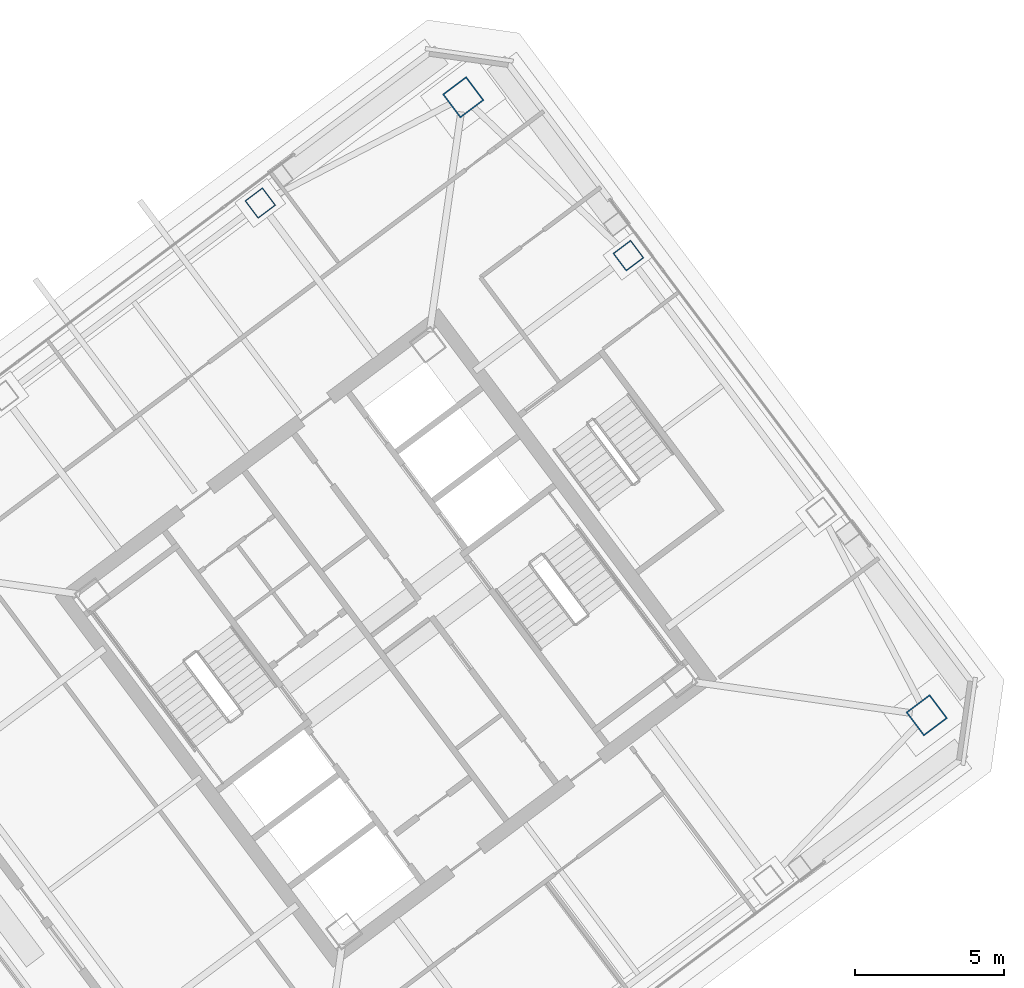
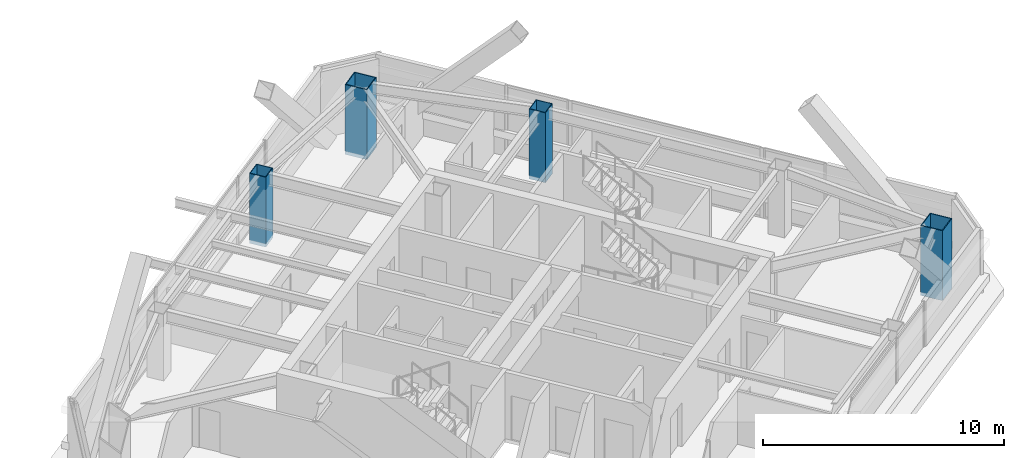
# One storey, part 2 of 39: 4 columns.
"""IFC4 building model written with IfcOpenShell, lengths in metres."""

from ifc_helpers import new_model, si_unit, direction, frame, origin, origin_2d, place, context, subcontext, project, spatial, hollow_rectangle, extrude, material, material_profile, profile_set, type_object, element, save


model = new_model("IFC4")

# Units and contexts
model_context = context("Model", 3, precision=1e-05, world=origin(), true_north=direction((0.0, 1.0)))
body_context = subcontext(model_context, "Body", "Model", "MODEL_VIEW")
ifc_project = project(units=[si_unit("LENGTHUNIT", "METRE"), si_unit("AREAUNIT", "SQUARE_METRE"), si_unit("VOLUMEUNIT", "CUBIC_METRE"), si_unit("PLANEANGLEUNIT", "RADIAN"), si_unit("MASSUNIT", "GRAM", prefix="KILO")], contexts=[model_context])

# Site, building, storey
site_placement = place(None, origin())
site = spatial("IfcSite", under=ifc_project, at=site_placement, CompositionType="ELEMENT")
building_placement = place(site_placement, origin())
building = spatial("IfcBuilding", under=site, at=building_placement, Name="Tashvorn Skyway Center", CompositionType="ELEMENT")
storey_placement = place(building_placement, frame((0.0, 0.0, 232.60009765625)))
storey = spatial("IfcBuildingStorey", under=building, at=storey_placement, Name="L63", CompositionType="ELEMENT", Elevation=232.60009765625)

# Columns
ifc_material = material(Name="Steel ASTM A572 Grade 50", Category="steel")
ifc_material_profile_1 = material_profile(ifc_material, hollow_rectangle(XDim=1.0, YDim=1.0, WallThickness=0.0400390625, at=origin_2d()), Name="BOX1000x1000x40")
ifc_profile_set_1 = profile_set([ifc_material_profile_1], Name="Steel ASTM A572 Grade 50")
column_type_1 = type_object("IfcColumnType", Name="COL-BOX1000x1000x40", PredefinedType="COLUMN", material=ifc_profile_set_1)
for number, where, z_axis, x_axis, name in (
    (1, (132.199951171875, 29.39990234375, -0.175048828125), (0.0, 0.0, 1.0), (0.799999996291, 0.600000004945, 0.0), "Tower 2 L63 Mega-Column MC-SE"),
    (2, (116.60009765625, 50.199951171875, -0.175048828125), (0.0, 0.0, 1.0), (0.799999996291, 0.600000004945, 0.0), "Tower 2 L63 Mega-Column MC-NE"),
):
    element("IfcColumn", number, at=place(storey_placement, frame(where, z_axis=z_axis, x_axis=x_axis)), inside=storey, type_object=column_type_1, Name=name, PredefinedType="COLUMN", context=body_context, shape_type="SweptSolid", body=[
        extrude(hollow_rectangle(XDim=1.0, YDim=1.0, WallThickness=0.0400390625, at=origin_2d()), origin(), (0.0, 0.0, 1.0), 3.544921875),
    ])
ifc_material_profile_2 = material_profile(ifc_material, hollow_rectangle(XDim=0.75, YDim=0.75, WallThickness=0.031982421875, at=origin_2d()), Name="BOX750x750x32")
ifc_profile_set_2 = profile_set([ifc_material_profile_2], Name="Steel ASTM A572 Grade 50")
column_type_2 = type_object("IfcColumnType", Name="COL-BOX750x750x32", PredefinedType="COLUMN", material=ifc_profile_set_2)
for number, where, z_axis, x_axis, name in (
    (3, (122.159912109375, 44.8701171875, -0.175048828125), (0.0, 0.0, 1.0), (0.799999996291, 0.600000004945, 0.0), "Tower 2 L63 Perimeter Column FC-E2"),
    (4, (109.77001953125, 46.639892578125, -0.175048828125), (0.0, 0.0, 1.0), (0.799999996291, 0.600000004945, 0.0), "Tower 2 L63 Perimeter Column FC-N1"),
):
    element("IfcColumn", number, at=place(storey_placement, frame(where, z_axis=z_axis, x_axis=x_axis)), inside=storey, type_object=column_type_2, Name=name, PredefinedType="COLUMN", context=body_context, shape_type="SweptSolid", body=[
        extrude(hollow_rectangle(XDim=0.75, YDim=0.75, WallThickness=0.031982421875, at=origin_2d()), origin(), (0.0, 0.0, 1.0), 3.544921875),
    ])

save(model, "model.ifc")
